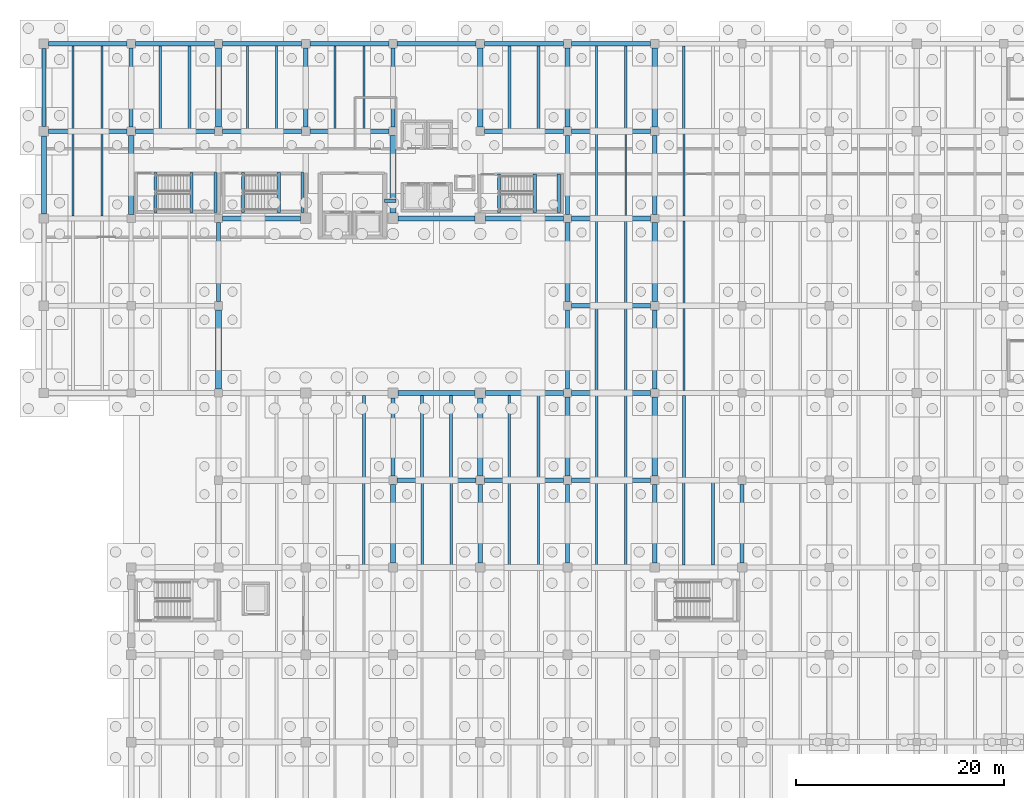
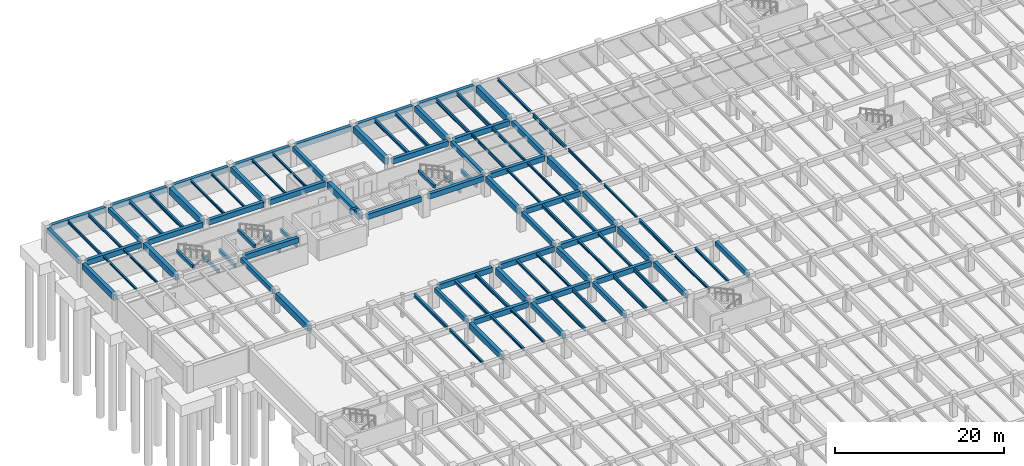
# One storey, part 28 of 70: 103 beams.
"""IFC4 building model written with IfcOpenShell, lengths in metres."""

from ifc_helpers import new_model, si_unit, direction, frame, origin, origin_2d, place, context, subcontext, project, spatial, rectangle, i_section, extrude, material, material_profile, profile_set, type_object, element, save


model = new_model("IFC4")

# Units and contexts
model_context = context("Model", 3, precision=1e-05, world=origin(), true_north=direction((0.0, 1.0)))
body_context = subcontext(model_context, "Body", "Model", "MODEL_VIEW")
ifc_project = project(units=[si_unit("LENGTHUNIT", "METRE"), si_unit("AREAUNIT", "SQUARE_METRE"), si_unit("VOLUMEUNIT", "CUBIC_METRE"), si_unit("PLANEANGLEUNIT", "RADIAN"), si_unit("MASSUNIT", "GRAM", prefix="KILO")], contexts=[model_context])

# Site, building, storey
site_placement = place(None, origin())
site = spatial("IfcSite", under=ifc_project, at=site_placement, CompositionType="ELEMENT")
building_placement = place(site_placement, origin())
building = spatial("IfcBuilding", under=site, at=building_placement, Name="Cumbredor Promenade Congress Hotel", CompositionType="ELEMENT")
storey_placement = place(building_placement, frame((0.0, 0.0, -7.56005859375)))
storey = spatial("IfcBuildingStorey", under=building, at=storey_placement, Name="B02", CompositionType="ELEMENT", Elevation=-7.56005859375)

# Beams
ifc_material_1 = material(Name="Concrete C40/50", Category="concrete")
ifc_material_profile_1 = material_profile(ifc_material_1, rectangle(XDim=0.39990234375, YDim=0.64990234375, at=origin_2d()), Name="RC BEAM 400x650")
ifc_profile_set_1 = profile_set([ifc_material_profile_1], Name="Concrete C40/50")
beam_type_1 = type_object("IfcBeamType", Name="BM-RC-400x650", PredefinedType="BEAM", material=ifc_profile_set_1)
beam_1_placement = place(storey_placement, frame((0.0, 109.64990234375, 2.635009765625), z_axis=(0.0, 1.0, 0.0), x_axis=(-1.0, 0.0, 0.0)))
element("IfcBeam", 1, at=beam_1_placement, inside=storey, type_object=beam_type_1, Name="B01 Y-Grid Beam 008", PredefinedType="BEAM", context=body_context, shape_type="SweptSolid", body=[
    extrude(rectangle(XDim=0.39990234375, YDim=0.64990234375, at=origin_2d()), origin(), (0.0, 0.0, 1.0), 7.5),
])
for number, where, z_axis, x_axis, name in (
    (2, (8.39990234375, 109.60009765625, 2.635009765625), (0.0, 1.0, 0.0), (-1.0, 0.0, 0.0), "B01 Y-Grid Beam 032"),
    (3, (16.800048828125, 92.800048828125, 2.635009765625), (0.0, 1.0, 0.0), (-1.0, 0.0, 0.0), "B01 Y-Grid Beam 052"),
):
    element("IfcBeam", number, at=place(storey_placement, frame(where, z_axis=z_axis, x_axis=x_axis)), inside=storey, type_object=beam_type_1, Name=name, PredefinedType="BEAM", context=body_context, shape_type="SweptSolid", body=[
        extrude(rectangle(XDim=0.39990234375, YDim=0.64990234375, at=origin_2d()), origin(), (0.0, 0.0, 1.0), 7.599853515625),
    ])
beam_2_placement = place(storey_placement, frame((33.60009765625, 76.0, 2.635009765625), z_axis=(0.0, 1.0, 0.0), x_axis=(-1.0, 0.0, 0.0)))
element("IfcBeam", 4, at=beam_2_placement, inside=storey, type_object=beam_type_1, Name="B01 Y-Grid Beam 096", PredefinedType="BEAM", context=body_context, shape_type="SweptSolid", body=[
    extrude(rectangle(XDim=0.39990234375, YDim=0.64990234375, at=origin_2d()), origin(), (0.0, 0.0, 1.0), 7.5),
])
beam_3_placement = place(storey_placement, frame((33.60009765625, 109.60009765625, 2.635009765625), z_axis=(0.0, 1.0, 0.0), x_axis=(-1.0, 0.0, 0.0)))
element("IfcBeam", 5, at=beam_3_placement, inside=storey, type_object=beam_type_1, Name="B01 Y-Grid Beam 100", PredefinedType="BEAM", context=body_context, shape_type="SweptSolid", body=[
    extrude(rectangle(XDim=0.39990234375, YDim=0.64990234375, at=origin_2d()), origin(), (0.0, 0.0, 1.0), 7.599853515625),
])
beam_4_placement = place(storey_placement, frame((50.39990234375, 67.64990234375, 2.635009765625), z_axis=(0.0, 1.0, 0.0), x_axis=(-1.0, 0.0, 0.0)))
element("IfcBeam", 6, at=beam_4_placement, inside=storey, type_object=beam_type_1, Name="B01 Y-Grid Beam 140", PredefinedType="BEAM", context=body_context, shape_type="SweptSolid", body=[
    extrude(rectangle(XDim=0.39990234375, YDim=0.64990234375, at=origin_2d()), origin(), (0.0, 0.0, 1.0), 7.550048828125),
])
for number, where, z_axis, x_axis, name in (
    (7, (50.39990234375, 84.39990234375, 2.635009765625), (0.0, 1.0, 0.0), (-1.0, 0.0, 0.0), "B01 Y-Grid Beam 144"),
    (8, (50.39990234375, 101.199951171875, 2.635009765625), (0.0, 1.0, 0.0), (-1.0, 0.0, 0.0), "B01 Y-Grid Beam 148"),
):
    element("IfcBeam", number, at=place(storey_placement, frame(where, z_axis=z_axis, x_axis=x_axis)), inside=storey, type_object=beam_type_1, Name=name, PredefinedType="BEAM", context=body_context, shape_type="SweptSolid", body=[
        extrude(rectangle(XDim=0.39990234375, YDim=0.64990234375, at=origin_2d()), origin(), (0.0, 0.0, 1.0), 7.60009765625),
    ])
beam_5_placement = place(storey_placement, frame((67.199951171875, 67.64990234375, 2.635009765625), z_axis=(0.0, 1.0, 0.0), x_axis=(-1.0, 0.0, 0.0)))
element("IfcBeam", 9, at=beam_5_placement, inside=storey, type_object=beam_type_1, Name="B01 Y-Grid Beam 192", PredefinedType="BEAM", context=body_context, shape_type="SweptSolid", body=[
    extrude(rectangle(XDim=0.39990234375, YDim=0.64990234375, at=origin_2d()), origin(), (0.0, 0.0, 1.0), 7.550048828125),
])
ifc_material_profile_2 = material_profile(ifc_material_1, rectangle(XDim=0.449951171875, YDim=0.75, at=origin_2d()), Name="RC BEAM 450x750")
ifc_profile_set_2 = profile_set([ifc_material_profile_2], Name="Concrete C40/50")
beam_type_2 = type_object("IfcBeamType", Name="BM-RC-450x750", PredefinedType="BEAM", material=ifc_profile_set_2)
for number, where, z_axis, x_axis, name in (
    (10, (0.449951171875, 109.199951171875, 2.5849609375), (1.0, 0.0, 0.0), (0.0, 1.0, 0.0), "B01 X-Grid Beam 007"),
    (11, (0.449951171875, 117.60009765625, 2.5849609375), (1.0, 0.0, 0.0), (0.0, 1.0, 0.0), "B01 X-Grid Beam 009"),
):
    element("IfcBeam", number, at=place(storey_placement, frame(where, z_axis=z_axis, x_axis=x_axis)), inside=storey, type_object=beam_type_2, Name=name, PredefinedType="BEAM", context=body_context, shape_type="SweptSolid", body=[
        extrude(rectangle(XDim=0.449951171875, YDim=0.75, at=origin_2d()), origin(), (0.0, 0.0, 1.0), 7.550048828125),
    ])
for number, where, z_axis, x_axis, name in (
    (12, (8.800048828125, 109.199951171875, 2.5849609375), (1.0, 0.0, 0.0), (0.0, 1.0, 0.0), "B01 X-Grid Beam 031"),
    (13, (8.800048828125, 117.60009765625, 2.5849609375), (1.0, 0.0, 0.0), (0.0, 1.0, 0.0), "B01 X-Grid Beam 033"),
):
    element("IfcBeam", number, at=place(storey_placement, frame(where, z_axis=z_axis, x_axis=x_axis)), inside=storey, type_object=beam_type_2, Name=name, PredefinedType="BEAM", context=body_context, shape_type="SweptSolid", body=[
        extrude(rectangle(XDim=0.449951171875, YDim=0.75, at=origin_2d()), origin(), (0.0, 0.0, 1.0), 7.599853515625),
    ])
beam_6_placement = place(storey_placement, frame((17.199951171875, 100.800048828125, 2.5849609375), z_axis=(1.0, 0.0, 0.0), x_axis=(0.0, 1.0, 0.0)))
element("IfcBeam", 14, at=beam_6_placement, inside=storey, type_object=beam_type_2, Name="B01 X-Grid Beam 053", PredefinedType="BEAM", context=body_context, shape_type="SweptSolid", body=[
    extrude(rectangle(XDim=0.449951171875, YDim=0.75, at=origin_2d()), origin(), (0.0, 0.0, 1.0), 7.5),
])
for number, where, z_axis, x_axis, name in (
    (15, (17.199951171875, 109.199951171875, 2.5849609375), (1.0, 0.0, 0.0), (0.0, 1.0, 0.0), "B01 X-Grid Beam 054"),
    (16, (17.199951171875, 117.60009765625, 2.5849609375), (1.0, 0.0, 0.0), (0.0, 1.0, 0.0), "B01 X-Grid Beam 056"),
):
    element("IfcBeam", number, at=place(storey_placement, frame(where, z_axis=z_axis, x_axis=x_axis)), inside=storey, type_object=beam_type_2, Name=name, PredefinedType="BEAM", context=body_context, shape_type="SweptSolid", body=[
        extrude(rectangle(XDim=0.449951171875, YDim=0.75, at=origin_2d()), origin(), (0.0, 0.0, 1.0), 7.60009765625),
    ])
for number, where, z_axis, x_axis, name in (
    (17, (25.60009765625, 109.199951171875, 2.5849609375), (1.0, 0.0, 0.0), (0.0, 1.0, 0.0), "B01 X-Grid Beam 076"),
    (18, (25.199951171875, 109.60009765625, 2.5849609375), (0.0, 1.0, 0.0), (-1.0, 0.0, 0.0), "B01 Y-Grid Beam 077"),
    (19, (25.60009765625, 117.60009765625, 2.5849609375), (1.0, 0.0, 0.0), (0.0, 1.0, 0.0), "B01 X-Grid Beam 078"),
):
    element("IfcBeam", number, at=place(storey_placement, frame(where, z_axis=z_axis, x_axis=x_axis)), inside=storey, type_object=beam_type_2, Name=name, PredefinedType="BEAM", context=body_context, shape_type="SweptSolid", body=[
        extrude(rectangle(XDim=0.449951171875, YDim=0.75, at=origin_2d()), origin(), (0.0, 0.0, 1.0), 7.599853515625),
    ])
beam_7_placement = place(storey_placement, frame((34.0, 75.60009765625, 2.5849609375), z_axis=(1.0, 0.0, 0.0), x_axis=(0.0, 1.0, 0.0)))
element("IfcBeam", 20, at=beam_7_placement, inside=storey, type_object=beam_type_2, Name="B01 X-Grid Beam 095", PredefinedType="BEAM", context=body_context, shape_type="SweptSolid", body=[
    extrude(rectangle(XDim=0.449951171875, YDim=0.75, at=origin_2d()), origin(), (0.0, 0.0, 1.0), 7.60009765625),
])
for number, where, z_axis, x_axis, name in (
    (21, (34.10009765625, 84.0, 2.5849609375), (1.0, 0.0, 0.0), (0.0, 1.0, 0.0), "B01 X-Grid Beam 097"),
    (22, (34.10009765625, 100.800048828125, 2.5849609375), (1.0, 0.0, 0.0), (0.0, 1.0, 0.0), "B01 X-Grid Beam 098"),
):
    element("IfcBeam", number, at=place(storey_placement, frame(where, z_axis=z_axis, x_axis=x_axis)), inside=storey, type_object=beam_type_2, Name=name, PredefinedType="BEAM", context=body_context, shape_type="SweptSolid", body=[
        extrude(rectangle(XDim=0.449951171875, YDim=0.75, at=origin_2d()), origin(), (0.0, 0.0, 1.0), 7.39990234375),
    ])
beam_8_placement = place(storey_placement, frame((34.0, 117.60009765625, 2.5849609375), z_axis=(1.0, 0.0, 0.0), x_axis=(0.0, 1.0, 0.0)))
element("IfcBeam", 23, at=beam_8_placement, inside=storey, type_object=beam_type_2, Name="B01 X-Grid Beam 101", PredefinedType="BEAM", context=body_context, shape_type="SweptSolid", body=[
    extrude(rectangle(XDim=0.449951171875, YDim=0.75, at=origin_2d()), origin(), (0.0, 0.0, 1.0), 7.60009765625),
])
beam_9_placement = place(storey_placement, frame((42.0, 67.64990234375, 2.5849609375), z_axis=(0.0, 1.0, 0.0), x_axis=(-1.0, 0.0, 0.0)))
element("IfcBeam", 24, at=beam_9_placement, inside=storey, type_object=beam_type_2, Name="B01 Y-Grid Beam 117", PredefinedType="BEAM", context=body_context, shape_type="SweptSolid", body=[
    extrude(rectangle(XDim=0.449951171875, YDim=0.75, at=origin_2d()), origin(), (0.0, 0.0, 1.0), 7.550048828125),
])
beam_10_placement = place(storey_placement, frame((42.39990234375, 75.60009765625, 2.5849609375), z_axis=(1.0, 0.0, 0.0), x_axis=(0.0, 1.0, 0.0)))
element("IfcBeam", 25, at=beam_10_placement, inside=storey, type_object=beam_type_2, Name="B01 X-Grid Beam 118", PredefinedType="BEAM", context=body_context, shape_type="SweptSolid", body=[
    extrude(rectangle(XDim=0.449951171875, YDim=0.75, at=origin_2d()), origin(), (0.0, 0.0, 1.0), 7.60009765625),
])
for number, where, z_axis, x_axis, name in (
    (26, (42.5, 84.0, 2.5849609375), (1.0, 0.0, 0.0), (0.0, 1.0, 0.0), "B01 X-Grid Beam 120"),
    (27, (42.5, 100.800048828125, 2.5849609375), (1.0, 0.0, 0.0), (0.0, 1.0, 0.0), "B01 X-Grid Beam 121"),
):
    element("IfcBeam", number, at=place(storey_placement, frame(where, z_axis=z_axis, x_axis=x_axis)), inside=storey, type_object=beam_type_2, Name=name, PredefinedType="BEAM", context=body_context, shape_type="SweptSolid", body=[
        extrude(rectangle(XDim=0.449951171875, YDim=0.75, at=origin_2d()), origin(), (0.0, 0.0, 1.0), 7.5),
    ])
for number, where, z_axis, x_axis, name in (
    (28, (42.39990234375, 109.199951171875, 2.5849609375), (1.0, 0.0, 0.0), (0.0, 1.0, 0.0), "B01 X-Grid Beam 122"),
    (29, (42.39990234375, 117.60009765625, 2.5849609375), (1.0, 0.0, 0.0), (0.0, 1.0, 0.0), "B01 X-Grid Beam 124"),
):
    element("IfcBeam", number, at=place(storey_placement, frame(where, z_axis=z_axis, x_axis=x_axis)), inside=storey, type_object=beam_type_2, Name=name, PredefinedType="BEAM", context=body_context, shape_type="SweptSolid", body=[
        extrude(rectangle(XDim=0.449951171875, YDim=0.75, at=origin_2d()), origin(), (0.0, 0.0, 1.0), 7.60009765625),
    ])
for number, where, z_axis, x_axis, name in (
    (30, (50.800048828125, 75.60009765625, 2.5849609375), (1.0, 0.0, 0.0), (0.0, 1.0, 0.0), "B01 X-Grid Beam 141"),
    (31, (50.800048828125, 84.0, 2.5849609375), (1.0, 0.0, 0.0), (0.0, 1.0, 0.0), "B01 X-Grid Beam 143"),
    (32, (50.800048828125, 92.39990234375, 2.5849609375), (1.0, 0.0, 0.0), (0.0, 1.0, 0.0), "B01 X-Grid Beam 145"),
    (33, (50.800048828125, 100.800048828125, 2.5849609375), (1.0, 0.0, 0.0), (0.0, 1.0, 0.0), "B01 X-Grid Beam 147"),
    (34, (50.800048828125, 109.199951171875, 2.5849609375), (1.0, 0.0, 0.0), (0.0, 1.0, 0.0), "B01 X-Grid Beam 149"),
    (35, (50.800048828125, 117.60009765625, 2.5849609375), (1.0, 0.0, 0.0), (0.0, 1.0, 0.0), "B01 X-Grid Beam 151"),
):
    element("IfcBeam", number, at=place(storey_placement, frame(where, z_axis=z_axis, x_axis=x_axis)), inside=storey, type_object=beam_type_2, Name=name, PredefinedType="BEAM", context=body_context, shape_type="SweptSolid", body=[
        extrude(rectangle(XDim=0.449951171875, YDim=0.75, at=origin_2d()), origin(), (0.0, 0.0, 1.0), 7.599853515625),
    ])
beam_11_placement = place(storey_placement, frame((58.800048828125, 67.64990234375, 2.5849609375), z_axis=(0.0, 1.0, 0.0), x_axis=(-1.0, 0.0, 0.0)))
element("IfcBeam", 36, at=beam_11_placement, inside=storey, type_object=beam_type_2, Name="B01 Y-Grid Beam 165", PredefinedType="BEAM", context=body_context, shape_type="SweptSolid", body=[
    extrude(rectangle(XDim=0.449951171875, YDim=0.75, at=origin_2d()), origin(), (0.0, 0.0, 1.0), 7.550048828125),
])
for number, where, z_axis, x_axis, name in (
    (37, (58.800048828125, 84.39990234375, 2.5849609375), (0.0, 1.0, 0.0), (-1.0, 0.0, 0.0), "B01 Y-Grid Beam 169"),
    (38, (58.800048828125, 101.199951171875, 2.5849609375), (0.0, 1.0, 0.0), (-1.0, 0.0, 0.0), "B01 Y-Grid Beam 173"),
):
    element("IfcBeam", number, at=place(storey_placement, frame(where, z_axis=z_axis, x_axis=x_axis)), inside=storey, type_object=beam_type_2, Name=name, PredefinedType="BEAM", context=body_context, shape_type="SweptSolid", body=[
        extrude(rectangle(XDim=0.449951171875, YDim=0.75, at=origin_2d()), origin(), (0.0, 0.0, 1.0), 7.60009765625),
    ])
ifc_material_profile_3 = material_profile(ifc_material_1, rectangle(XDim=0.5, YDim=0.85009765625, at=origin_2d()), Name="RC BEAM 500x850")
ifc_profile_set_3 = profile_set([ifc_material_profile_3], Name="Concrete C40/50")
beam_type_3 = type_object("IfcBeamType", Name="BM-RC-500x850", PredefinedType="BEAM", material=ifc_profile_set_3)
beam_12_placement = place(storey_placement, frame((0.0, 101.25, 2.53515625), z_axis=(0.0, 1.0, 0.0), x_axis=(-1.0, 0.0, 0.0)))
element("IfcBeam", 39, at=beam_12_placement, inside=storey, type_object=beam_type_3, Name="B01 Y-Grid Beam 006", PredefinedType="BEAM", context=body_context, shape_type="SweptSolid", body=[
    extrude(rectangle(XDim=0.5, YDim=0.85009765625, at=origin_2d()), origin(), (0.0, 0.0, 1.0), 7.5),
])
beam_13_placement = place(storey_placement, frame((8.39990234375, 101.199951171875, 2.53515625), z_axis=(0.0, 1.0, 0.0), x_axis=(-1.0, 0.0, 0.0)))
element("IfcBeam", 40, at=beam_13_placement, inside=storey, type_object=beam_type_3, Name="B01 Y-Grid Beam 030", PredefinedType="BEAM", context=body_context, shape_type="SweptSolid", body=[
    extrude(rectangle(XDim=0.5, YDim=0.85009765625, at=origin_2d()), origin(), (0.0, 0.0, 1.0), 7.60009765625),
])
beam_14_placement = place(storey_placement, frame((33.60009765625, 67.64990234375, 2.53515625), z_axis=(0.0, 1.0, 0.0), x_axis=(-1.0, 0.0, 0.0)))
element("IfcBeam", 41, at=beam_14_placement, inside=storey, type_object=beam_type_3, Name="B01 Y-Grid Beam 094", PredefinedType="BEAM", context=body_context, shape_type="SweptSolid", body=[
    extrude(rectangle(XDim=0.5, YDim=0.85009765625, at=origin_2d()), origin(), (0.0, 0.0, 1.0), 7.550048828125),
])
beam_15_placement = place(storey_placement, frame((50.39990234375, 76.0, 2.53515625), z_axis=(0.0, 1.0, 0.0), x_axis=(-1.0, 0.0, 0.0)))
element("IfcBeam", 42, at=beam_15_placement, inside=storey, type_object=beam_type_3, Name="B01 Y-Grid Beam 142", PredefinedType="BEAM", context=body_context, shape_type="SweptSolid", body=[
    extrude(rectangle(XDim=0.5, YDim=0.85009765625, at=origin_2d()), origin(), (0.0, 0.0, 1.0), 7.60009765625),
])
for number, where, z_axis, x_axis, name in (
    (43, (50.39990234375, 92.800048828125, 2.53515625), (0.0, 1.0, 0.0), (-1.0, 0.0, 0.0), "B01 Y-Grid Beam 146"),
    (44, (50.39990234375, 109.60009765625, 2.53515625), (0.0, 1.0, 0.0), (-1.0, 0.0, 0.0), "B01 Y-Grid Beam 150"),
):
    element("IfcBeam", number, at=place(storey_placement, frame(where, z_axis=z_axis, x_axis=x_axis)), inside=storey, type_object=beam_type_3, Name=name, PredefinedType="BEAM", context=body_context, shape_type="SweptSolid", body=[
        extrude(rectangle(XDim=0.5, YDim=0.85009765625, at=origin_2d()), origin(), (0.0, 0.0, 1.0), 7.599853515625),
    ])
ifc_material_profile_4 = material_profile(ifc_material_1, rectangle(XDim=0.550048828125, YDim=0.949951171875, at=origin_2d()), Name="RC BEAM 550x950")
ifc_profile_set_4 = profile_set([ifc_material_profile_4], Name="Concrete C40/50")
beam_type_4 = type_object("IfcBeamType", Name="BM-RC-550x950", PredefinedType="BEAM", material=ifc_profile_set_4)
beam_16_placement = place(storey_placement, frame((16.800048828125, 84.39990234375, 2.485107421875), z_axis=(0.0, 1.0, 0.0), x_axis=(-1.0, 0.0, 0.0)))
element("IfcBeam", 45, at=beam_16_placement, inside=storey, type_object=beam_type_4, Name="B01 Y-Grid Beam 051", PredefinedType="BEAM", context=body_context, shape_type="SweptSolid", body=[
    extrude(rectangle(XDim=0.550048828125, YDim=0.949951171875, at=origin_2d()), origin(), (0.0, 0.0, 1.0), 7.60009765625),
])
beam_17_placement = place(storey_placement, frame((16.800048828125, 109.60009765625, 2.485107421875), z_axis=(0.0, 1.0, 0.0), x_axis=(-1.0, 0.0, 0.0)))
element("IfcBeam", 46, at=beam_17_placement, inside=storey, type_object=beam_type_4, Name="B01 Y-Grid Beam 055", PredefinedType="BEAM", context=body_context, shape_type="SweptSolid", body=[
    extrude(rectangle(XDim=0.550048828125, YDim=0.949951171875, at=origin_2d()), origin(), (0.0, 0.0, 1.0), 7.599853515625),
])
for number, where, z_axis, x_axis, name in (
    (47, (33.60009765625, 101.300048828125, 2.485107421875), (0.0, 1.0, 0.0), (-1.0, 0.0, 0.0), "B01 Y-Grid Beam 099"),
    (48, (42.0, 76.0, 2.485107421875), (0.0, 1.0, 0.0), (-1.0, 0.0, 0.0), "B01 Y-Grid Beam 119"),
):
    element("IfcBeam", number, at=place(storey_placement, frame(where, z_axis=z_axis, x_axis=x_axis)), inside=storey, type_object=beam_type_4, Name=name, PredefinedType="BEAM", context=body_context, shape_type="SweptSolid", body=[
        extrude(rectangle(XDim=0.550048828125, YDim=0.949951171875, at=origin_2d()), origin(), (0.0, 0.0, 1.0), 7.5),
    ])
beam_18_placement = place(storey_placement, frame((42.0, 109.60009765625, 2.485107421875), z_axis=(0.0, 1.0, 0.0), x_axis=(-1.0, 0.0, 0.0)))
element("IfcBeam", 49, at=beam_18_placement, inside=storey, type_object=beam_type_4, Name="B01 Y-Grid Beam 123", PredefinedType="BEAM", context=body_context, shape_type="SweptSolid", body=[
    extrude(rectangle(XDim=0.550048828125, YDim=0.949951171875, at=origin_2d()), origin(), (0.0, 0.0, 1.0), 7.599853515625),
])
beam_19_placement = place(storey_placement, frame((58.800048828125, 76.0, 2.485107421875), z_axis=(0.0, 1.0, 0.0), x_axis=(-1.0, 0.0, 0.0)))
element("IfcBeam", 50, at=beam_19_placement, inside=storey, type_object=beam_type_4, Name="B01 Y-Grid Beam 167", PredefinedType="BEAM", context=body_context, shape_type="SweptSolid", body=[
    extrude(rectangle(XDim=0.550048828125, YDim=0.949951171875, at=origin_2d()), origin(), (0.0, 0.0, 1.0), 7.60009765625),
])
for number, where, z_axis, x_axis, name in (
    (51, (58.800048828125, 92.800048828125, 2.485107421875), (0.0, 1.0, 0.0), (-1.0, 0.0, 0.0), "B01 Y-Grid Beam 171"),
    (52, (58.800048828125, 109.60009765625, 2.485107421875), (0.0, 1.0, 0.0), (-1.0, 0.0, 0.0), "B01 Y-Grid Beam 175"),
):
    element("IfcBeam", number, at=place(storey_placement, frame(where, z_axis=z_axis, x_axis=x_axis)), inside=storey, type_object=beam_type_4, Name=name, PredefinedType="BEAM", context=body_context, shape_type="SweptSolid", body=[
        extrude(rectangle(XDim=0.550048828125, YDim=0.949951171875, at=origin_2d()), origin(), (0.0, 0.0, 1.0), 7.599853515625),
    ])
ifc_material_2 = material(Name="Steel ASTM A992 Grade 50", Category="steel")
ifc_material_profile_5 = material_profile(ifc_material_2, i_section(OverallWidth=0.202880859375, OverallDepth=0.302978515625, WebThickness=0.007568359375, FlangeThickness=0.01318359375, at=origin_2d()), Name="W12X40")
ifc_profile_set_5 = profile_set([ifc_material_profile_5], Name="Steel ASTM A992 Grade 50")
beam_type_5 = type_object("IfcBeamType", Name="JST-W12X40", PredefinedType="JOIST", material=ifc_profile_set_5)
for number, where, z_axis, x_axis, name in (
    (53, (2.800048828125, 101.02490234375, 2.80859375), (0.0, 1.0, 0.0), (-1.0, 0.0, 0.0), "B01 Secondary Floor Joist 0005"),
    (54, (5.60009765625, 101.02490234375, 2.80859375), (0.0, 1.0, 0.0), (-1.0, 0.0, 0.0), "B01 Secondary Floor Joist 0006"),
):
    element("IfcBeam", number, at=place(storey_placement, frame(where, z_axis=z_axis, x_axis=x_axis)), inside=storey, type_object=beam_type_5, Name=name, PredefinedType="JOIST", context=body_context, shape_type="SweptSolid", body=[
        extrude(i_section(OverallWidth=0.202880859375, OverallDepth=0.302978515625, WebThickness=0.007568359375, FlangeThickness=0.01318359375, at=origin_2d()), origin(), (0.0, 0.0, 1.0), 7.9501953125),
    ])
for number, where, z_axis, x_axis, name in (
    (55, (19.60009765625, 109.425048828125, 2.80859375), (0.0, 1.0, 0.0), (-1.0, 0.0, 0.0), "B01 Secondary Floor Joist 0040"),
    (56, (22.39990234375, 109.425048828125, 2.80859375), (0.0, 1.0, 0.0), (-1.0, 0.0, 0.0), "B01 Secondary Floor Joist 0041"),
    (57, (28.0, 109.425048828125, 2.80859375), (0.0, 1.0, 0.0), (-1.0, 0.0, 0.0), "B01 Secondary Floor Joist 0060"),
    (58, (30.800048828125, 109.425048828125, 2.80859375), (0.0, 1.0, 0.0), (-1.0, 0.0, 0.0), "B01 Secondary Floor Joist 0061"),
    (59, (53.199951171875, 92.625, 2.80859375), (0.0, 1.0, 0.0), (-1.0, 0.0, 0.0), "B01 Secondary Floor Joist 0120"),
    (60, (56.0, 92.625, 2.80859375), (0.0, 1.0, 0.0), (-1.0, 0.0, 0.0), "B01 Secondary Floor Joist 0121"),
    (61, (61.60009765625, 84.22509765625, 2.80859375), (0.0, 1.0, 0.0), (-1.0, 0.0, 0.0), "B01 Secondary Floor Joist 0140"),
):
    element("IfcBeam", number, at=place(storey_placement, frame(where, z_axis=z_axis, x_axis=x_axis)), inside=storey, type_object=beam_type_5, Name=name, PredefinedType="JOIST", context=body_context, shape_type="SweptSolid", body=[
        extrude(i_section(OverallWidth=0.202880859375, OverallDepth=0.302978515625, WebThickness=0.007568359375, FlangeThickness=0.01318359375, at=origin_2d()), origin(), (0.0, 0.0, 1.0), 7.949951171875),
    ])
ifc_material_profile_6 = material_profile(ifc_material_2, i_section(OverallWidth=0.2548828125, OverallDepth=0.35693359375, WebThickness=0.010498046875, FlangeThickness=0.018310546875, at=origin_2d()), Name="W14X68")
ifc_profile_set_6 = profile_set([ifc_material_profile_6], Name="Steel ASTM A992 Grade 50")
beam_type_6 = type_object("IfcBeamType", Name="JST-W14X68", PredefinedType="JOIST", material=ifc_profile_set_6)
for number, where, z_axis, x_axis, name in (
    (62, (30.800048828125, 67.425048828125, 2.781494140625), (0.0, 1.0, 0.0), (-1.0, 0.0, 0.0), "B01 Secondary Floor Joist 0057"),
    (63, (36.39990234375, 67.425048828125, 2.781494140625), (0.0, 1.0, 0.0), (-1.0, 0.0, 0.0), "B01 Secondary Floor Joist 0076"),
    (64, (39.199951171875, 67.425048828125, 2.781494140625), (0.0, 1.0, 0.0), (-1.0, 0.0, 0.0), "B01 Secondary Floor Joist 0077"),
    (65, (44.800048828125, 75.824951171875, 2.781494140625), (0.0, 1.0, 0.0), (-1.0, 0.0, 0.0), "B01 Secondary Floor Joist 0096"),
    (66, (47.60009765625, 75.824951171875, 2.781494140625), (0.0, 1.0, 0.0), (-1.0, 0.0, 0.0), "B01 Secondary Floor Joist 0097"),
    (67, (53.199951171875, 75.824951171875, 2.781494140625), (0.0, 1.0, 0.0), (-1.0, 0.0, 0.0), "B01 Secondary Floor Joist 0116"),
    (68, (56.0, 75.824951171875, 2.781494140625), (0.0, 1.0, 0.0), (-1.0, 0.0, 0.0), "B01 Secondary Floor Joist 0117"),
    (69, (61.60009765625, 67.425048828125, 2.781494140625), (0.0, 1.0, 0.0), (-1.0, 0.0, 0.0), "B01 Secondary Floor Joist 0136"),
    (70, (64.39990234375, 67.425048828125, 2.781494140625), (0.0, 1.0, 0.0), (-1.0, 0.0, 0.0), "B01 Secondary Floor Joist 0137"),
    (71, (61.60009765625, 109.425048828125, 2.781494140625), (0.0, 1.0, 0.0), (-1.0, 0.0, 0.0), "B01 Secondary Floor Joist 0146"),
):
    element("IfcBeam", number, at=place(storey_placement, frame(where, z_axis=z_axis, x_axis=x_axis)), inside=storey, type_object=beam_type_6, Name=name, PredefinedType="JOIST", context=body_context, shape_type="SweptSolid", body=[
        extrude(i_section(OverallWidth=0.2548828125, OverallDepth=0.35693359375, WebThickness=0.010498046875, FlangeThickness=0.018310546875, at=origin_2d()), origin(), (0.0, 0.0, 1.0), 7.949951171875),
    ])
ifc_material_profile_7 = material_profile(ifc_material_2, i_section(OverallWidth=0.180908203125, OverallDepth=0.4169921875, WebThickness=0.010986328125, FlangeThickness=0.018310546875, at=origin_2d()), Name="W16X57")
ifc_profile_set_7 = profile_set([ifc_material_profile_7], Name="Steel ASTM A992 Grade 50")
beam_type_7 = type_object("IfcBeamType", Name="JST-W16X57", PredefinedType="JOIST", material=ifc_profile_set_7)
for number, where, z_axis, x_axis, name in (
    (72, (2.800048828125, 109.425048828125, 2.75146484375), (0.0, 1.0, 0.0), (-1.0, 0.0, 0.0), "B01 Secondary Floor Joist 0007"),
    (73, (5.60009765625, 109.425048828125, 2.75146484375), (0.0, 1.0, 0.0), (-1.0, 0.0, 0.0), "B01 Secondary Floor Joist 0008"),
):
    element("IfcBeam", number, at=place(storey_placement, frame(where, z_axis=z_axis, x_axis=x_axis)), inside=storey, type_object=beam_type_7, Name=name, PredefinedType="JOIST", context=body_context, shape_type="SweptSolid", body=[
        extrude(i_section(OverallWidth=0.180908203125, OverallDepth=0.4169921875, WebThickness=0.010986328125, FlangeThickness=0.018310546875, at=origin_2d()), origin(), (0.0, 0.0, 1.0), 7.949951171875),
    ])
for number, where, z_axis, x_axis, name in (
    (74, (53.199951171875, 101.02490234375, 2.75146484375), (0.0, 1.0, 0.0), (-1.0, 0.0, 0.0), "B01 Secondary Floor Joist 0122"),
    (75, (56.0, 101.02490234375, 2.75146484375), (0.0, 1.0, 0.0), (-1.0, 0.0, 0.0), "B01 Secondary Floor Joist 0123"),
):
    element("IfcBeam", number, at=place(storey_placement, frame(where, z_axis=z_axis, x_axis=x_axis)), inside=storey, type_object=beam_type_7, Name=name, PredefinedType="JOIST", context=body_context, shape_type="SweptSolid", body=[
        extrude(i_section(OverallWidth=0.180908203125, OverallDepth=0.4169921875, WebThickness=0.010986328125, FlangeThickness=0.018310546875, at=origin_2d()), origin(), (0.0, 0.0, 1.0), 7.9501953125),
    ])
beam_20_placement = place(storey_placement, frame((61.60009765625, 92.625, 2.75146484375), z_axis=(0.0, 1.0, 0.0), x_axis=(-1.0, 0.0, 0.0)))
element("IfcBeam", 76, at=beam_20_placement, inside=storey, type_object=beam_type_7, Name="B01 Secondary Floor Joist 0142", PredefinedType="JOIST", context=body_context, shape_type="SweptSolid", body=[
    extrude(i_section(OverallWidth=0.180908203125, OverallDepth=0.4169921875, WebThickness=0.010986328125, FlangeThickness=0.018310546875, at=origin_2d()), origin(), (0.0, 0.0, 1.0), 7.949951171875),
])
ifc_material_profile_8 = material_profile(ifc_material_2, i_section(OverallWidth=0.280029296875, OverallDepth=0.462890625, WebThickness=0.0107421875, FlangeThickness=0.017333984375, at=origin_2d()), Name="W18X76")
ifc_profile_set_8 = profile_set([ifc_material_profile_8], Name="Steel ASTM A992 Grade 50")
beam_type_8 = type_object("IfcBeamType", Name="JST-W18X76", PredefinedType="JOIST", material=ifc_profile_set_8)
for number, where, z_axis, x_axis, name in (
    (77, (11.199951171875, 109.425048828125, 2.728515625), (0.0, 1.0, 0.0), (-1.0, 0.0, 0.0), "B01 Secondary Floor Joist 0023"),
    (78, (14.0, 109.425048828125, 2.728515625), (0.0, 1.0, 0.0), (-1.0, 0.0, 0.0), "B01 Secondary Floor Joist 0024"),
    (79, (30.800048828125, 75.824951171875, 2.728515625), (0.0, 1.0, 0.0), (-1.0, 0.0, 0.0), "B01 Secondary Floor Joist 0059"),
    (80, (36.39990234375, 75.824951171875, 2.728515625), (0.0, 1.0, 0.0), (-1.0, 0.0, 0.0), "B01 Secondary Floor Joist 0078"),
    (81, (39.199951171875, 75.824951171875, 2.728515625), (0.0, 1.0, 0.0), (-1.0, 0.0, 0.0), "B01 Secondary Floor Joist 0079"),
    (82, (44.800048828125, 109.425048828125, 2.728515625), (0.0, 1.0, 0.0), (-1.0, 0.0, 0.0), "B01 Secondary Floor Joist 0098"),
    (83, (47.60009765625, 109.425048828125, 2.728515625), (0.0, 1.0, 0.0), (-1.0, 0.0, 0.0), "B01 Secondary Floor Joist 0099"),
    (84, (53.199951171875, 84.22509765625, 2.728515625), (0.0, 1.0, 0.0), (-1.0, 0.0, 0.0), "B01 Secondary Floor Joist 0118"),
    (85, (56.0, 84.22509765625, 2.728515625), (0.0, 1.0, 0.0), (-1.0, 0.0, 0.0), "B01 Secondary Floor Joist 0119"),
    (86, (61.60009765625, 75.824951171875, 2.728515625), (0.0, 1.0, 0.0), (-1.0, 0.0, 0.0), "B01 Secondary Floor Joist 0138"),
):
    element("IfcBeam", number, at=place(storey_placement, frame(where, z_axis=z_axis, x_axis=x_axis)), inside=storey, type_object=beam_type_8, Name=name, PredefinedType="JOIST", context=body_context, shape_type="SweptSolid", body=[
        extrude(i_section(OverallWidth=0.280029296875, OverallDepth=0.462890625, WebThickness=0.0107421875, FlangeThickness=0.017333984375, at=origin_2d()), origin(), (0.0, 0.0, 1.0), 7.949951171875),
    ])
ifc_material_profile_9 = material_profile(ifc_material_2, i_section(OverallWidth=0.214111328125, OverallDepth=0.549072265625, WebThickness=0.0146484375, FlangeThickness=0.023681640625, at=origin_2d()), Name="W21X93")
ifc_profile_set_9 = profile_set([ifc_material_profile_9], Name="Steel ASTM A992 Grade 50")
beam_type_9 = type_object("IfcBeamType", Name="JST-W21X93", PredefinedType="JOIST", material=ifc_profile_set_9)
for number, where, z_axis, x_axis, name in (
    (87, (44.800048828125, 67.425048828125, 2.685546875), (0.0, 1.0, 0.0), (-1.0, 0.0, 0.0), "B01 Secondary Floor Joist 0094"),
    (88, (47.60009765625, 67.425048828125, 2.685546875), (0.0, 1.0, 0.0), (-1.0, 0.0, 0.0), "B01 Secondary Floor Joist 0095"),
    (89, (53.199951171875, 67.425048828125, 2.685546875), (0.0, 1.0, 0.0), (-1.0, 0.0, 0.0), "B01 Secondary Floor Joist 0114"),
    (90, (56.0, 67.425048828125, 2.685546875), (0.0, 1.0, 0.0), (-1.0, 0.0, 0.0), "B01 Secondary Floor Joist 0115"),
    (91, (53.199951171875, 109.425048828125, 2.685546875), (0.0, 1.0, 0.0), (-1.0, 0.0, 0.0), "B01 Secondary Floor Joist 0124"),
    (92, (56.0, 109.425048828125, 2.685546875), (0.0, 1.0, 0.0), (-1.0, 0.0, 0.0), "B01 Secondary Floor Joist 0125"),
):
    element("IfcBeam", number, at=place(storey_placement, frame(where, z_axis=z_axis, x_axis=x_axis)), inside=storey, type_object=beam_type_9, Name=name, PredefinedType="JOIST", context=body_context, shape_type="SweptSolid", body=[
        extrude(i_section(OverallWidth=0.214111328125, OverallDepth=0.549072265625, WebThickness=0.0146484375, FlangeThickness=0.023681640625, at=origin_2d()), origin(), (0.0, 0.0, 1.0), 7.949951171875),
    ])
beam_21_placement = place(storey_placement, frame((61.60009765625, 101.02490234375, 2.685546875), z_axis=(0.0, 1.0, 0.0), x_axis=(-1.0, 0.0, 0.0)))
element("IfcBeam", 93, at=beam_21_placement, inside=storey, type_object=beam_type_9, Name="B01 Secondary Floor Joist 0144", PredefinedType="JOIST", context=body_context, shape_type="SweptSolid", body=[
    extrude(i_section(OverallWidth=0.214111328125, OverallDepth=0.549072265625, WebThickness=0.0146484375, FlangeThickness=0.023681640625, at=origin_2d()), origin(), (0.0, 0.0, 1.0), 7.9501953125),
])
ifc_material_profile_10 = material_profile(ifc_material_1, rectangle(XDim=0.300048828125, YDim=0.5, at=origin_2d()), Name="RC LINTEL 300x500")
ifc_profile_set_10 = profile_set([ifc_material_profile_10], Name="Concrete C40/50")
beam_type_10 = type_object("IfcBeamType", Name="LN-RC-300x500", PredefinedType="LINTEL", material=ifc_profile_set_10)
for number, where, z_axis, x_axis, name in (
    (94, (16.5, 101.3701171875, 1.22998046875), (0.0, 1.0, 0.0), (-1.0, 0.0, 0.0), "B02 Stair ST-01 Landing Ledger Beam E"),
    (95, (14.199951171875, 101.3701171875, 1.22998046875), (0.0, 1.0, 0.0), (-1.0, 0.0, 0.0), "B02 Stair ST-01 Landing Ledger Beam W"),
    (96, (10.75, 101.3701171875, 3.110107421875), (0.0, 1.0, 0.0), (-1.0, 0.0, 0.0), "B01 Stair ST-01 Well Header Trimmer Beam"),
    (97, (24.89990234375, 101.3701171875, 1.22998046875), (0.0, 1.0, 0.0), (-1.0, 0.0, 0.0), "B02 Stair ST-02 Landing Ledger Beam E"),
    (98, (22.60009765625, 101.3701171875, 1.22998046875), (0.0, 1.0, 0.0), (-1.0, 0.0, 0.0), "B02 Stair ST-02 Landing Ledger Beam W"),
    (99, (19.14990234375, 101.3701171875, 3.110107421875), (0.0, 1.0, 0.0), (-1.0, 0.0, 0.0), "B01 Stair ST-02 Well Header Trimmer Beam"),
):
    element("IfcBeam", number, at=place(storey_placement, frame(where, z_axis=z_axis, x_axis=x_axis)), inside=storey, type_object=beam_type_10, Name=name, PredefinedType="LINTEL", context=body_context, shape_type="SweptSolid", body=[
        extrude(rectangle(XDim=0.300048828125, YDim=0.5, at=origin_2d()), origin(), (0.0, 0.0, 1.0), 3.829833984375),
    ])
for number, where, z_axis, x_axis, name in (
    (100, (49.550048828125, 101.3701171875, 1.22998046875), (0.0, 1.0, 0.0), (-1.0, 0.0, 0.0), "B02 Stair ST-03 Landing Ledger Beam E"),
    (101, (47.25, 101.3701171875, 1.22998046875), (0.0, 1.0, 0.0), (-1.0, 0.0, 0.0), "B02 Stair ST-03 Landing Ledger Beam W"),
    (102, (43.800048828125, 101.3701171875, 3.110107421875), (0.0, 1.0, 0.0), (-1.0, 0.0, 0.0), "B01 Stair ST-03 Well Header Trimmer Beam"),
):
    element("IfcBeam", number, at=place(storey_placement, frame(where, z_axis=z_axis, x_axis=x_axis)), inside=storey, type_object=beam_type_10, Name=name, PredefinedType="LINTEL", context=body_context, shape_type="SweptSolid", body=[
        extrude(rectangle(XDim=0.300048828125, YDim=0.5, at=origin_2d()), origin(), (0.0, 0.0, 1.0), 3.72998046875),
    ])
ifc_material_profile_11 = material_profile(ifc_material_1, rectangle(XDim=0.35009765625, YDim=0.60009765625, at=origin_2d()), Name="RC LINTEL 350x600")
ifc_profile_set_11 = profile_set([ifc_material_profile_11], Name="Concrete C40/50")
beam_type_11 = type_object("IfcBeamType", Name="LN-RC-350x600", PredefinedType="LINTEL", material=ifc_profile_set_11)
beam_22_placement = place(storey_placement, frame((32.800048828125, 102.5, 2.66015625), z_axis=(1.0, 0.0, 0.0), x_axis=(0.0, 1.0, 0.0)))
element("IfcBeam", 103, at=beam_22_placement, inside=storey, type_object=beam_type_11, Name="B02 Core Coupling Lintel Beam", PredefinedType="LINTEL", context=body_context, shape_type="SweptSolid", body=[
    extrude(rectangle(XDim=0.35009765625, YDim=0.60009765625, at=origin_2d()), origin(), (0.0, 0.0, 1.0), 1.099853515625),
])

save(model, "model.ifc")
